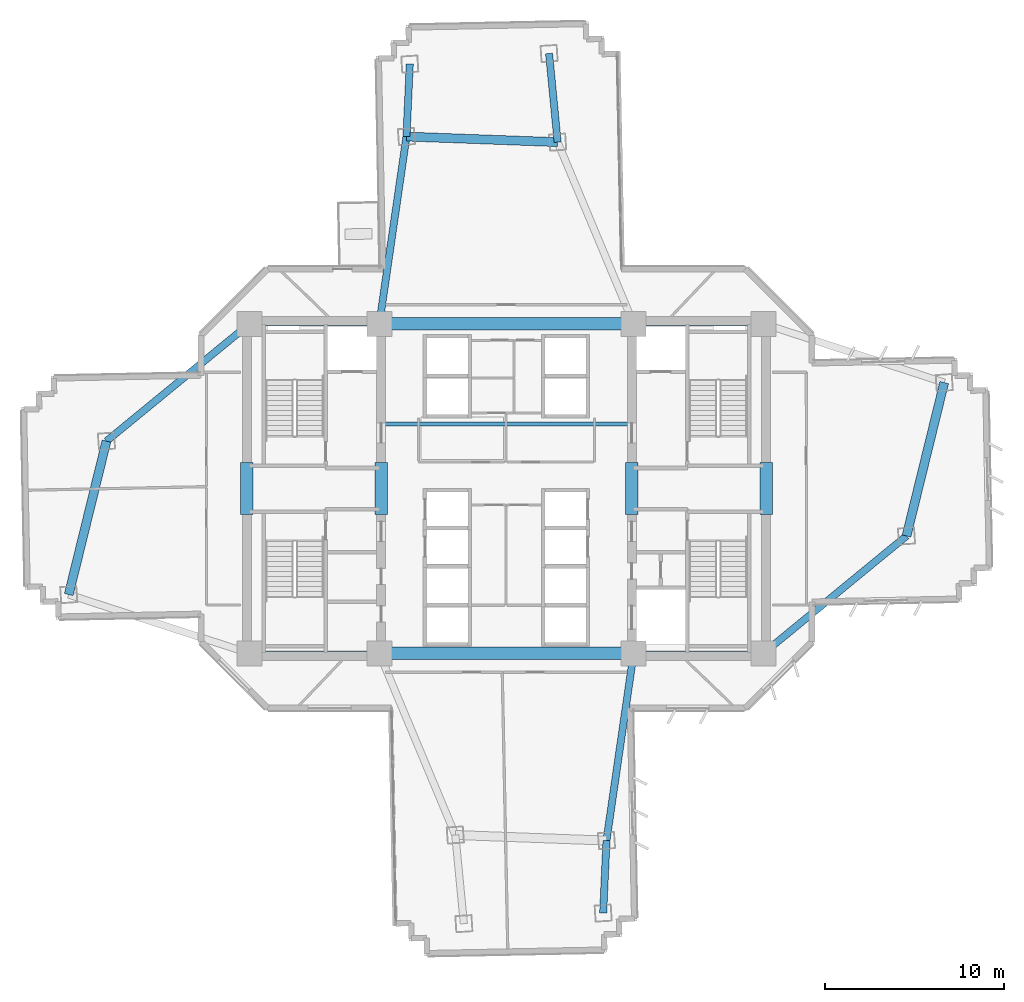
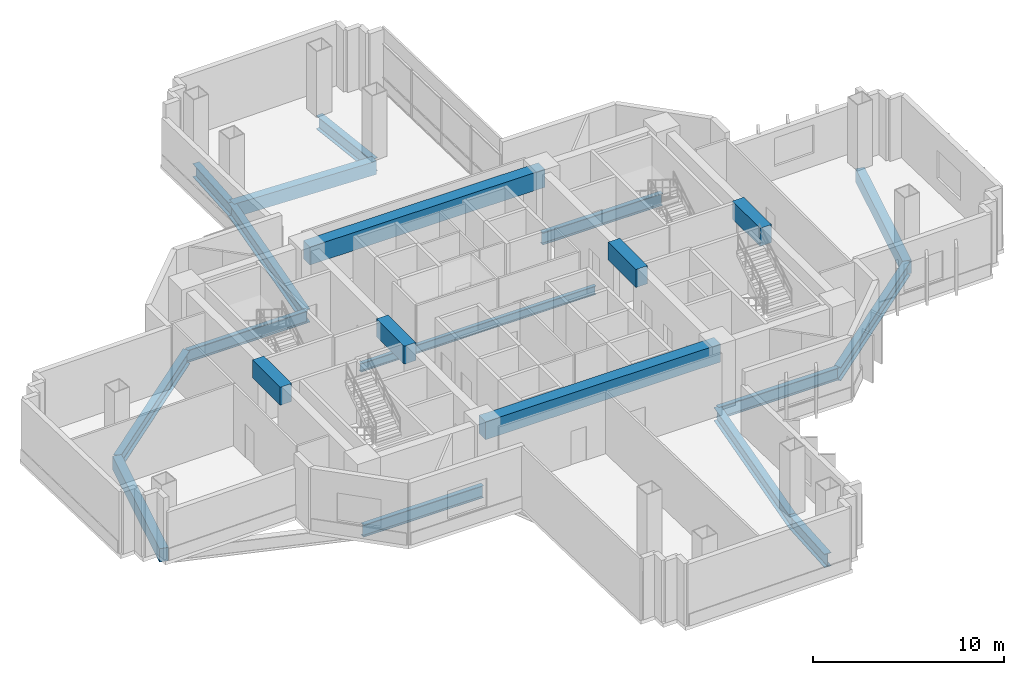
# One storey, part 3 of 15: 21 beams.
"""IFC4 building model written with IfcOpenShell, lengths in metres."""

from ifc_helpers import new_model, si_unit, direction, frame, origin, origin_2d, place, context, subcontext, project, spatial, rectangle, i_section, extrude, source, transform, mapped, material, material_profile, profile_set, type_object, element, save


model = new_model("IFC4")

# Units and contexts
model_context = context("Model", 3, precision=1e-05, world=origin(), true_north=direction((0.0, 1.0)))
body_context = subcontext(model_context, "Body", "Model", "MODEL_VIEW")
ifc_project = project(units=[si_unit("LENGTHUNIT", "METRE"), si_unit("AREAUNIT", "SQUARE_METRE"), si_unit("VOLUMEUNIT", "CUBIC_METRE"), si_unit("PLANEANGLEUNIT", "RADIAN"), si_unit("MASSUNIT", "GRAM", prefix="KILO")], contexts=[model_context])

# Site, building, storey
site_placement = place(None, origin())
site = spatial("IfcSite", under=ifc_project, at=site_placement, CompositionType="ELEMENT")
building_placement = place(site_placement, origin())
building = spatial("IfcBuilding", under=site, at=building_placement, Name="Zahravan Cultural Tower", CompositionType="ELEMENT")
storey_placement = place(building_placement, frame((0.0, 0.0, 45.89990234375)))
storey = spatial("IfcBuildingStorey", under=building, at=storey_placement, Name="L09", CompositionType="ELEMENT", Elevation=45.89990234375)

# Beams
ifc_material_1 = material(Name="Concrete C50/60", Category="concrete")
ifc_material_profile_1 = material_profile(ifc_material_1, rectangle(XDim=0.699951171875, YDim=1.14990234375, at=origin_2d()), Name="RC700X1150")
ifc_profile_set_1 = profile_set([ifc_material_profile_1], Name="Concrete C50/60")
beam_type_1 = type_object("IfcBeamType", Name="BM-LN-RC700X1150", PredefinedType="LINTEL", material=ifc_profile_set_1)
shared_shape_1 = source(origin(), body_context, "Body", "SweptSolid", [
    extrude(rectangle(XDim=0.699951171875, YDim=1.14990234375, at=origin_2d()), origin(), (0.0, 0.0, 1.0), 14.2001953125),
])
for number, where, z_axis, x_axis, name in (
    (1, (28.89990234375, 17.800048828125, 3.375), (1.0, 0.0, 0.0), (0.0, 1.0, 0.0), "L09 Beam LN-L09-S"),
    (2, (28.89990234375, 36.199951171875, 3.375), (1.0, 0.0, 0.0), (0.0, 1.0, 0.0), "L09 Beam LN-L09-N"),
):
    element("IfcBeam", number, at=place(storey_placement, frame(where, z_axis=z_axis, x_axis=x_axis)), inside=storey, type_object=beam_type_1, Name=name, PredefinedType="LINTEL", context=body_context, shape_type="MappedRepresentation", body=[
        mapped(shared_shape_1, transform((0.0, 0.0, 0.0), x_axis=(1.0, 0.0, 0.0), y_axis=(0.0, 1.0, 0.0), z_axis=(0.0, 0.0, 1.0), scale=1.0)),
    ])
shared_shape_2 = source(origin(), body_context, "Body", "SweptSolid", [
    extrude(rectangle(XDim=0.699951171875, YDim=1.14990234375, at=origin_2d()), origin(), (0.0, 0.0, 1.0), 2.89990234375),
])
for number, where, z_axis, x_axis, name in (
    (3, (21.5, 25.550048828125, 3.375), (0.0, 1.0, 0.0), (-1.0, 0.0, 0.0), "L09 Beam LN-L09-PWW"),
    (4, (29.0, 25.550048828125, 3.375), (0.0, 1.0, 0.0), (-1.0, 0.0, 0.0), "L09 Beam LN-L09-PWE"),
    (5, (43.0, 25.550048828125, 3.375), (0.0, 1.0, 0.0), (-1.0, 0.0, 0.0), "L09 Beam LN-L09-PEW"),
    (6, (50.5, 25.550048828125, 3.375), (0.0, 1.0, 0.0), (-1.0, 0.0, 0.0), "L09 Beam LN-L09-PEE"),
):
    element("IfcBeam", number, at=place(storey_placement, frame(where, z_axis=z_axis, x_axis=x_axis)), inside=storey, type_object=beam_type_1, Name=name, PredefinedType="LINTEL", context=body_context, shape_type="MappedRepresentation", body=[
        mapped(shared_shape_2, transform((0.0, 0.0, 0.0), x_axis=(1.0, 0.0, 0.0), y_axis=(0.0, 1.0, 0.0), z_axis=(0.0, 0.0, 1.0), scale=1.0)),
    ])
ifc_material_2 = material(Name="Steel ASTM A992 Grade 50", Category="steel")
ifc_material_profile_2 = material_profile(ifc_material_2, i_section(OverallWidth=0.26611328125, OverallDepth=0.780029296875, WebThickness=0.0166015625, FlangeThickness=0.030029296875, FilletRadius=0.01904296875, at=origin_2d()), Name="W30X148")
ifc_profile_set_2 = profile_set([ifc_material_profile_2], Name="Steel ASTM A992 Grade 50")
beam_type_2 = type_object("IfcBeamType", Name="BM-G-W30X148", PredefinedType="BEAM", material=ifc_profile_set_2)
shared_shape_3 = source(origin(), body_context, "Body", "SweptSolid", [
    extrude(i_section(OverallWidth=0.26611328125, OverallDepth=0.780029296875, WebThickness=0.0166015625, FlangeThickness=0.030029296875, FilletRadius=0.01904296875, at=origin_2d()), origin(), (0.0, 0.0, 1.0), 7.25),
])
for number, where, z_axis, x_axis, name in (
    (7, (21.64990234375, 17.800048828125, -0.639892578125), (1.0, 0.0, 0.0), (0.0, 1.0, 0.0), "L09 Beam BG-L09-01"),
    (8, (21.64990234375, 36.199951171875, -0.639892578125), (1.0, 0.0, 0.0), (0.0, 1.0, 0.0), "L09 Beam BG-L09-02"),
    (9, (43.10009765625, 17.800048828125, -0.639892578125), (1.0, 0.0, 0.0), (0.0, 1.0, 0.0), "L09 Beam BG-L09-04"),
    (10, (43.10009765625, 36.199951171875, -0.639892578125), (1.0, 0.0, 0.0), (0.0, 1.0, 0.0), "L09 Beam BG-L09-05"),
):
    element("IfcBeam", number, at=place(storey_placement, frame(where, z_axis=z_axis, x_axis=x_axis)), inside=storey, type_object=beam_type_2, Name=name, PredefinedType="BEAM", context=body_context, shape_type="MappedRepresentation", body=[
        mapped(shared_shape_3, transform((0.0, 0.0, 0.0), x_axis=(1.0, 0.0, 0.0), y_axis=(0.0, 1.0, 0.0), z_axis=(0.0, 0.0, 1.0), scale=1.0)),
    ])
ifc_material_profile_3 = material_profile(ifc_material_1, rectangle(XDim=0.5, YDim=0.85009765625, at=origin_2d()), Name="RC500X850")
ifc_profile_set_3 = profile_set([ifc_material_profile_3], Name="Concrete C50/60")
beam_type_3 = type_object("IfcBeamType", Name="BM-SP-RC500X850", PredefinedType="SPANDREL", material=ifc_profile_set_3)
shared_shape_4 = source(origin(), body_context, "Body", "SweptSolid", [
    extrude(rectangle(XDim=0.5, YDim=0.85009765625, at=origin_2d()), origin(), (0.0, 0.0, 1.0), 8.4482421875),
])
beam_1_placement = place(storey_placement, frame((38.857421875, 46.346435546875, -0.6748046875), z_axis=(-0.999318826256, 0.036903705643, 0.0), x_axis=(-0.036903705643, -0.999318826256, 0.0)))
element("IfcBeam", 11, at=beam_1_placement, inside=storey, type_object=beam_type_3, Name="L09 Beam SP-L09-21", PredefinedType="SPANDREL", context=body_context, shape_type="MappedRepresentation", body=[
    mapped(shared_shape_4, transform((0.0, 0.0, 0.0), x_axis=(1.0, 0.0, 0.0), y_axis=(0.0, 1.0, 0.0), z_axis=(0.0, 0.0, 1.0), scale=1.0)),
])
shared_shape_5 = source(origin(), body_context, "Body", "SweptSolid", [
    extrude(rectangle(XDim=0.5, YDim=0.85009765625, at=origin_2d()), origin(), (0.0, 0.0, 1.0), 8.8232421875),
])
for number, where, z_axis, x_axis, name in (
    (12, (58.339111328125, 24.351806640625, -0.6748046875), (0.238848860516, 0.971056755206, 0.0), (-0.971056755206, 0.238848860516, 0.0), "L09 Beam SP-L09-20"),
    (13, (13.660888671875, 29.648193359375, -0.6748046875), (-0.238848860516, -0.971056755206, 0.0), (0.971056755206, -0.238848860516, 0.0), "L09 Beam SP-L09-22"),
):
    element("IfcBeam", number, at=place(storey_placement, frame(where, z_axis=z_axis, x_axis=x_axis)), inside=storey, type_object=beam_type_3, Name=name, PredefinedType="SPANDREL", context=body_context, shape_type="MappedRepresentation", body=[
        mapped(shared_shape_5, transform((0.0, 0.0, 0.0), x_axis=(1.0, 0.0, 0.0), y_axis=(0.0, 1.0, 0.0), z_axis=(0.0, 0.0, 1.0), scale=1.0)),
    ])
ifc_material_profile_4 = material_profile(ifc_material_2, i_section(OverallWidth=0.39990234375, OverallDepth=0.862060546875, WebThickness=0.019775390625, FlangeThickness=0.032470703125, FilletRadius=0.02001953125, at=origin_2d()), Name="W33X221")
ifc_profile_set_4 = profile_set([ifc_material_profile_4], Name="Steel ASTM A992 Grade 50")
beam_type_4 = type_object("IfcBeamType", Name="BM-G-W33X221", PredefinedType="BEAM", material=ifc_profile_set_4)
shared_shape_6 = source(origin(), body_context, "Body", "SweptSolid", [
    extrude(i_section(OverallWidth=0.39990234375, OverallDepth=0.862060546875, WebThickness=0.019775390625, FlangeThickness=0.032470703125, FilletRadius=0.02001953125, at=origin_2d()), origin(), (0.0, 0.0, 1.0), 10.5673828125),
])
for number, where, z_axis, x_axis, name in (
    (14, (43.10009765625, 17.800048828125, -0.680908203125), (-0.143377913539, -0.989668011966, 0.0), (0.989668011966, -0.143377913539, 0.0), "L09 Beam BG-L09-09"),
    (15, (28.89990234375, 36.199951171875, -0.680908203125), (0.143377913539, 0.989668011966, 0.0), (-0.989668011966, 0.143377913539, 0.0), "L09 Beam BG-L09-13"),
):
    element("IfcBeam", number, at=place(storey_placement, frame(where, z_axis=z_axis, x_axis=x_axis)), inside=storey, type_object=beam_type_4, Name=name, PredefinedType="BEAM", context=body_context, shape_type="MappedRepresentation", body=[
        mapped(shared_shape_6, transform((0.0, 0.0, 0.0), x_axis=(1.0, 0.0, 0.0), y_axis=(0.0, 1.0, 0.0), z_axis=(0.0, 0.0, 1.0), scale=1.0)),
    ])
shared_shape_7 = source(origin(), body_context, "Body", "SweptSolid", [
    extrude(i_section(OverallWidth=0.39990234375, OverallDepth=0.862060546875, WebThickness=0.019775390625, FlangeThickness=0.032470703125, FilletRadius=0.02001953125, at=origin_2d()), origin(), (0.0, 0.0, 1.0), 10.33203125),
])
for number, where, z_axis, x_axis, name in (
    (16, (50.35009765625, 17.800048828125, -0.680908203125), (0.773231409473, 0.634123952713, 0.0), (-0.634123952713, 0.773231409473, 0.0), "L09 Beam BG-L09-10"),
    (17, (21.64990234375, 36.199951171875, -0.680908203125), (-0.773231409473, -0.634123952713, 0.0), (0.634123952713, -0.773231409473, 0.0), "L09 Beam BG-L09-14"),
):
    element("IfcBeam", number, at=place(storey_placement, frame(where, z_axis=z_axis, x_axis=x_axis)), inside=storey, type_object=beam_type_4, Name=name, PredefinedType="BEAM", context=body_context, shape_type="MappedRepresentation", body=[
        mapped(shared_shape_7, transform((0.0, 0.0, 0.0), x_axis=(1.0, 0.0, 0.0), y_axis=(0.0, 1.0, 0.0), z_axis=(0.0, 0.0, 1.0), scale=1.0)),
    ])
shared_shape_8 = source(origin(), body_context, "Body", "SweptSolid", [
    extrude(i_section(OverallWidth=0.39990234375, OverallDepth=0.862060546875, WebThickness=0.019775390625, FlangeThickness=0.032470703125, FilletRadius=0.02001953125, at=origin_2d()), origin(), (0.0, 0.0, 1.0), 4.973876953125),
])
beam_2_placement = place(storey_placement, frame((38.857421875, 46.346435546875, -0.680908203125), z_axis=(-0.096154779131, 0.995366394073, 0.0), x_axis=(-0.995366394073, -0.096154779131, 0.0)))
element("IfcBeam", 18, at=beam_2_placement, inside=storey, type_object=beam_type_4, Name="L09 Beam BG-L09-15", PredefinedType="BEAM", context=body_context, shape_type="MappedRepresentation", body=[
    mapped(shared_shape_8, transform((0.0, 0.0, 0.0), x_axis=(1.0, 0.0, 0.0), y_axis=(0.0, 1.0, 0.0), z_axis=(0.0, 0.0, 1.0), scale=1.0)),
])
shared_shape_9 = source(origin(), body_context, "Body", "SweptSolid", [
    extrude(i_section(OverallWidth=0.39990234375, OverallDepth=0.862060546875, WebThickness=0.019775390625, FlangeThickness=0.032470703125, FilletRadius=0.02001953125, at=origin_2d()), origin(), (0.0, 0.0, 1.0), 4.0537109375),
])
for number, where, z_axis, x_axis, name in (
    (19, (30.4150390625, 46.658203125, -0.680908203125), (0.045770994677, 0.998951958828, 0.0), (-0.998951958828, 0.045770994677, 0.0), "L09 Beam BG-L09-16"),
    (20, (41.5849609375, 7.341796875, -0.680908203125), (-0.045770994677, -0.998951958828, 0.0), (0.998951958828, -0.045770994677, 0.0), "L09 Beam BG-L09-18"),
):
    element("IfcBeam", number, at=place(storey_placement, frame(where, z_axis=z_axis, x_axis=x_axis)), inside=storey, type_object=beam_type_4, Name=name, PredefinedType="BEAM", context=body_context, shape_type="MappedRepresentation", body=[
        mapped(shared_shape_9, transform((0.0, 0.0, 0.0), x_axis=(1.0, 0.0, 0.0), y_axis=(0.0, 1.0, 0.0), z_axis=(0.0, 0.0, 1.0), scale=1.0)),
    ])
ifc_material_profile_5 = material_profile(ifc_material_2, i_section(OverallWidth=0.214111328125, OverallDepth=0.549072265625, WebThickness=0.0146484375, FlangeThickness=0.023681640625, FilletRadius=0.013916015625, at=origin_2d()), Name="W21X93")
ifc_profile_set_5 = profile_set([ifc_material_profile_5], Name="Steel ASTM A992 Grade 50")
beam_type_5 = type_object("IfcBeamType", Name="BM-J-W21X93", PredefinedType="JOIST", material=ifc_profile_set_5)
shared_shape_10 = source(origin(), body_context, "Body", "SweptSolid", [
    extrude(i_section(OverallWidth=0.214111328125, OverallDepth=0.549072265625, WebThickness=0.0146484375, FlangeThickness=0.023681640625, FilletRadius=0.013916015625, at=origin_2d()), origin(), (0.0, 0.0, 1.0), 14.2001953125),
])
beam_3_placement = place(storey_placement, frame((28.89990234375, 30.60009765625, -0.5244140625), z_axis=(1.0, 0.0, 0.0), x_axis=(0.0, 1.0, 0.0)))
element("IfcBeam", 21, at=beam_3_placement, inside=storey, type_object=beam_type_5, Name="L09 Beam BJ-L09-23", PredefinedType="JOIST", context=body_context, shape_type="MappedRepresentation", body=[
    mapped(shared_shape_10, transform((0.0, 0.0, 0.0), x_axis=(1.0, 0.0, 0.0), y_axis=(0.0, 1.0, 0.0), z_axis=(0.0, 0.0, 1.0), scale=1.0)),
])

save(model, "model.ifc")
